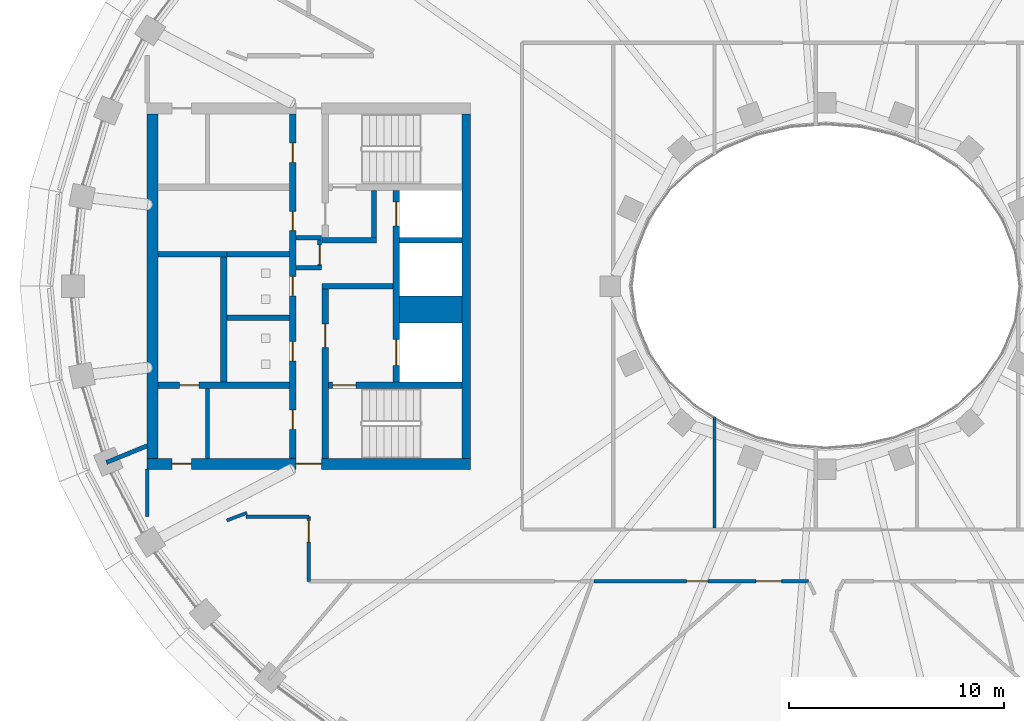
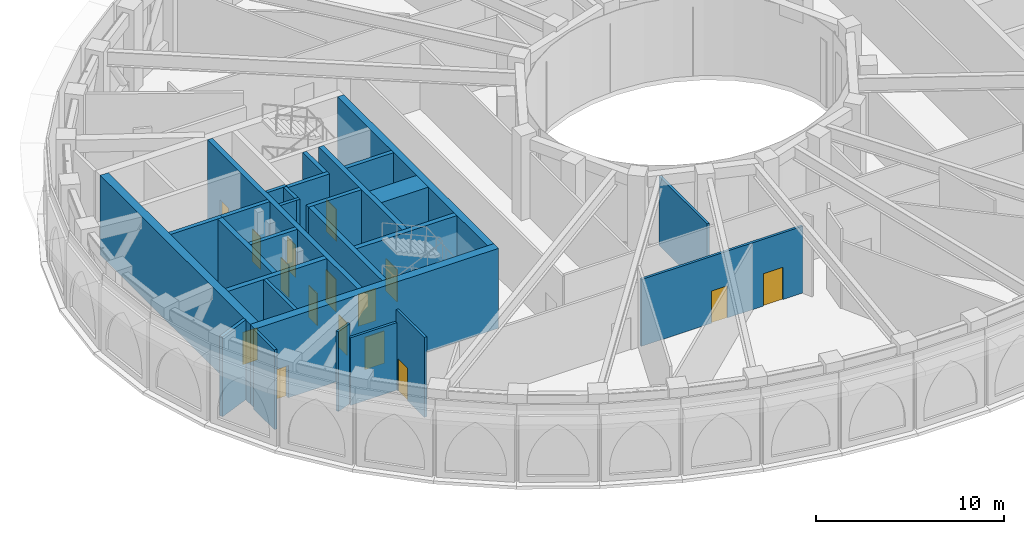
# One storey, part 5 of 23: 28 walls, 16 doors, 16 openings.
"""IFC4 building model written with IfcOpenShell, lengths in metres."""

from ifc_helpers import new_model, si_unit, direction, frame, frame_2d, origin, place, context, subcontext, project, spatial, rectangle, extrude, material, layer, layer_set, type_object, element, fill, save


model = new_model("IFC4")

# Units and contexts
model_context = context("Model", 3, precision=1e-05, world=origin(), true_north=direction((0.0, 1.0)))
body_context = subcontext(model_context, "Body", "Model", "MODEL_VIEW")
ifc_project = project(units=[si_unit("LENGTHUNIT", "METRE"), si_unit("AREAUNIT", "SQUARE_METRE"), si_unit("VOLUMEUNIT", "CUBIC_METRE"), si_unit("PLANEANGLEUNIT", "RADIAN"), si_unit("MASSUNIT", "GRAM", prefix="KILO")], contexts=[model_context])

# Site, building, storey
site_placement = place(None, origin())
site = spatial("IfcSite", under=ifc_project, at=site_placement, CompositionType="ELEMENT")
building_placement = place(site_placement, origin())
building = spatial("IfcBuilding", under=site, at=building_placement, Name="Noorbagh Ring Tower", CompositionType="ELEMENT")
storey_placement = place(building_placement, frame((0.0, 0.0, 285.5)))
storey = spatial("IfcBuildingStorey", under=building, at=storey_placement, Name="L61", CompositionType="ELEMENT", Elevation=285.5)

# Walls
ifc_material_1 = material(Name="Gypsum board on steel studs", Category="steel")
ifc_layer_1 = layer(ifc_material_1, 0.14990234375)
ifc_layer_set_1 = layer_set([ifc_layer_1], Name="Gypsum board on steel studs")
wall_type_1 = type_object("IfcWallType", Name="COMPARTMENT PARTITION 150 EI 60", PredefinedType="PARTITIONING", material=ifc_layer_set_1)
wall_1_placement = place(storey_placement, frame((-31.5, -10.699951171875, 0.0), z_axis=(0.0, 0.0, 1.0), x_axis=(0.0, 1.0, 0.0)))
element("IfcWall", 1, at=wall_1_placement, inside=storey, type_object=wall_type_1, Name="L61/wall/P02", PredefinedType="PARTITIONING", context=body_context, shape_type="SweptSolid", body=[
    extrude(rectangle(XDim=2.199951171875, YDim=0.14990234375, at=frame_2d((1.10009765625, 0.0))), origin(), (0.0, 0.0, 1.0), 5.199951171875),
])
wall_2_placement = place(storey_placement, frame((-26.92041015625, -10.699951171875, 0.0), z_axis=(0.0, 0.0, 1.0), x_axis=(1.0, 0.0, 0.0)))
element("IfcWall", 2, at=wall_2_placement, inside=storey, type_object=wall_type_1, Name="L61/wall/P03", PredefinedType="PARTITIONING", context=body_context, shape_type="SweptSolid", body=[
    extrude(rectangle(XDim=2.92041015625, YDim=0.14990234375, at=frame_2d((1.460205078125, 0.0))), origin(), (0.0, 0.0, 1.0), 4.39990234375),
])

# Wall, opening, door
wall_3_placement = place(storey_placement, frame((-24.0, -13.699951171875, 0.0), z_axis=(0.0, 0.0, 1.0), x_axis=(0.0, 1.0, 0.0)))
wall_3 = element("IfcWall", 3, at=wall_3_placement, inside=storey, type_object=wall_type_1, Name="L61/wall/P08", PredefinedType="PARTITIONING", context=body_context, shape_type="SweptSolid", body=[
    extrude(rectangle(XDim=3.0, YDim=0.14990234375, at=frame_2d((1.5, 0.0))), origin(), (0.0, 0.0, 1.0), 5.199951171875),
])
opening_1_placement = place(wall_3_placement, frame((1.820068359375, 0.0, 0.0)))
opening_1 = element("IfcOpeningElement", 4, at=opening_1_placement, cuts=wall_3, Name="Opening D6", PredefinedType="OPENING", context=body_context, shape_type="SweptSolid", body=[
    extrude(rectangle(XDim=1.0, YDim=2.10009765625, at=frame_2d((0.5, 1.050048828125))), frame((0.0, 0.0849609375, 0.0), z_axis=(0.0, -1.0, 0.0), x_axis=(1.0, 0.0, 0.0)), (0.0, 0.0, 1.0), 0.169921875),
])
ifc_material_2 = material(Name="Timber, painted", Category="wood")
door_type_1 = type_object("IfcDoorType", Name="DOOR 1000 X 2100 FD60", OperationType="SINGLE_SWING_LEFT", PredefinedType="DOOR", material=ifc_material_2)
door_1_placement = place(opening_1_placement, origin())
door_1 = element("IfcDoor", 5, at=door_1_placement, inside=storey, type_object=door_type_1, Name="L61-D02", OperationType="SINGLE_SWING_LEFT", OverallHeight=2.10009765625, OverallWidth=1.0, PredefinedType="DOOR", context=body_context, shape_type="SweptSolid", body=[
    extrude(rectangle(XDim=1.0, YDim=2.10009765625, at=frame_2d((0.5, 1.050048828125))), frame((0.0, 0.02490234375, 0.0), z_axis=(0.0, -1.0, 0.0), x_axis=(1.0, 0.0, 0.0)), (0.0, 0.0, 1.0), 0.050048828125),
])
fill(opening_1, door_1)

# Wall, openings, doors
wall_4_placement = place(storey_placement, frame((-10.76708984375, -13.699951171875, 0.0), z_axis=(0.0, 0.0, 1.0), x_axis=(1.0, 0.0, 0.0)))
wall_4 = element("IfcWall", 6, at=wall_4_placement, inside=storey, type_object=wall_type_1, Name="L61/wall/P19", PredefinedType="PARTITIONING", context=body_context, shape_type="SweptSolid", body=[
    extrude(rectangle(XDim=9.958984375, YDim=0.14990234375, at=frame_2d((4.9794921875, 0.0))), origin(), (0.0, 0.0, 1.0), 4.35009765625),
])
opening_2_placement = place(wall_4_placement, frame((7.52099609375, 0.0, 0.0)))
opening_2 = element("IfcOpeningElement", 7, at=opening_2_placement, cuts=wall_4, Name="Opening D7", PredefinedType="OPENING", context=body_context, shape_type="SweptSolid", body=[
    extrude(rectangle(XDim=1.199951171875, YDim=2.10009765625, at=frame_2d((0.60009765625, 1.050048828125))), frame((0.0, 0.0849609375, 0.0), z_axis=(0.0, -1.0, 0.0), x_axis=(1.0, 0.0, 0.0)), (0.0, 0.0, 1.0), 0.169921875),
])
opening_3_placement = place(wall_4_placement, frame((4.30810546875, 0.0, 0.0)))
opening_3 = element("IfcOpeningElement", 8, at=opening_3_placement, cuts=wall_4, Name="Opening D6", PredefinedType="OPENING", context=body_context, shape_type="SweptSolid", body=[
    extrude(rectangle(XDim=1.0, YDim=2.10009765625, at=frame_2d((0.5, 1.050048828125))), frame((0.0, 0.0849609375, 0.0), z_axis=(0.0, -1.0, 0.0), x_axis=(1.0, 0.0, 0.0)), (0.0, 0.0, 1.0), 0.169921875),
])
door_2_placement = place(opening_3_placement, origin())
door_2 = element("IfcDoor", 9, at=door_2_placement, inside=storey, type_object=door_type_1, Name="L61-D08", OperationType="SINGLE_SWING_RIGHT", OverallHeight=2.10009765625, OverallWidth=1.0, PredefinedType="DOOR", context=body_context, shape_type="SweptSolid", body=[
    extrude(rectangle(XDim=1.0, YDim=2.10009765625, at=frame_2d((0.5, 1.050048828125))), frame((0.0, 0.02490234375, 0.0), z_axis=(0.0, -1.0, 0.0), x_axis=(1.0, 0.0, 0.0)), (0.0, 0.0, 1.0), 0.050048828125),
])
fill(opening_3, door_2)
ifc_material_3 = material(Name="Timber, painted", Category="wood")
door_type_2 = type_object("IfcDoorType", Name="DOOR 1200 X 2100 FD60", OperationType="SINGLE_SWING_LEFT", PredefinedType="DOOR", material=ifc_material_3)
door_3_placement = place(opening_2_placement, origin())
door_3 = element("IfcDoor", 10, at=door_3_placement, inside=storey, type_object=door_type_2, Name="L61-D07", OperationType="SINGLE_SWING_LEFT", OverallHeight=2.10009765625, OverallWidth=1.199951171875, PredefinedType="DOOR", context=body_context, shape_type="SweptSolid", body=[
    extrude(rectangle(XDim=1.199951171875, YDim=2.10009765625, at=frame_2d((0.60009765625, 1.050048828125))), frame((0.0, 0.02490234375, 0.0), z_axis=(0.0, -1.0, 0.0), x_axis=(1.0, 0.0, 0.0)), (0.0, 0.0, 1.0), 0.050048828125),
])
fill(opening_2, door_3)

# Walls
wall_5_placement = place(storey_placement, frame((-5.169921875, -11.22509765625, 0.0), z_axis=(0.0, 0.0, 1.0), x_axis=(0.0, 1.0, 0.0)))
element("IfcWall", 11, at=wall_5_placement, inside=storey, type_object=wall_type_1, Name="L61/wall/P23", PredefinedType="PARTITIONING", context=body_context, shape_type="SweptSolid", body=[
    extrude(rectangle(XDim=5.1201171875, YDim=0.14990234375, at=frame_2d((2.56005859375, 0.0))), origin(), (0.0, 0.0, 1.0), 4.5),
])
wall_6_placement = place(storey_placement, frame((-27.806396484375, -10.876953125, 0.0), z_axis=(0.0, 0.0, 1.0), x_axis=(0.935251310729, 0.35398444285, 0.0)))
element("IfcWall", 12, at=wall_6_placement, inside=storey, type_object=wall_type_1, Name="L61/wall/P62", PredefinedType="PARTITIONING", context=body_context, shape_type="SweptSolid", body=[
    extrude(rectangle(XDim=1.0, YDim=0.14990234375, at=frame_2d((0.5, 0.0))), origin(), (0.0, 0.0, 1.0), 5.199951171875),
])
ifc_material_4 = material(Name="Gypsum board on steel studs", Category="steel")
ifc_layer_2 = layer(ifc_material_4, 0.199951171875)
ifc_layer_set_2 = layer_set([ifc_layer_2], Name="Gypsum board on steel studs")
wall_type_2 = type_object("IfcWallType", Name="CORE-PARTITION-200", PredefinedType="PARTITIONING", material=ifc_layer_set_2)
for number, where, z_axis, x_axis, name in (
    (13, (-23.39990234375, 0.85009765625, 0.0), (0.0, 0.0, 1.0), (-1.0, 0.0, 0.0), "Core partition W"),
    (14, (-23.39990234375, 2.25, 0.0), (0.0, 0.0, 1.0), (-1.0, 0.0, 0.0), "Core partition W"),
):
    element("IfcWall", number, at=place(storey_placement, frame(where, z_axis=z_axis, x_axis=x_axis)), inside=storey, type_object=wall_type_2, Name=name, PredefinedType="PARTITIONING", context=body_context, shape_type="SweptSolid", body=[
        extrude(rectangle(XDim=1.2001953125, YDim=0.199951171875, at=frame_2d((0.60009765625, 0.0))), origin(), (0.0, 0.0, 1.0), 5.199951171875),
    ])

# Wall, opening, door
wall_7_placement = place(storey_placement, frame((-23.5, 0.75, 0.0), z_axis=(0.0, 0.0, 1.0), x_axis=(0.0, 1.0, 0.0)))
wall_7 = element("IfcWall", 15, at=wall_7_placement, inside=storey, type_object=wall_type_2, Name="Core partition W", PredefinedType="PARTITIONING", context=body_context, shape_type="SweptSolid", body=[
    extrude(rectangle(XDim=1.60009765625, YDim=0.199951171875, at=frame_2d((0.800048828125, 0.0))), origin(), (0.0, 0.0, 1.0), 5.199951171875),
])
opening_4_placement = place(wall_7_placement, frame((0.25, 0.0, 0.0)))
opening_4 = element("IfcOpeningElement", 16, at=opening_4_placement, cuts=wall_7, Name="Opening L61-CW16", PredefinedType="OPENING", context=body_context, shape_type="SweptSolid", body=[
    extrude(rectangle(XDim=0.89990234375, YDim=2.10009765625, at=frame_2d((0.449951171875, 1.050048828125))), frame((0.0, 0.10986328125, 0.0), z_axis=(0.0, -1.0, 0.0), x_axis=(1.0, 0.0, 0.0)), (0.0, 0.0, 1.0), 0.219970703125),
])
ifc_material_5 = material(Name="Steel door leaf", Category="steel")
door_type_3 = type_object("IfcDoorType", Name="CORE-DOOR-DROOM", OperationType="SINGLE_SWING_LEFT", PredefinedType="DOOR", material=ifc_material_5)
door_4_placement = place(opening_4_placement, origin())
door_4 = element("IfcDoor", 17, at=door_4_placement, inside=storey, type_object=door_type_3, Name="Core room door L61-CW16", OperationType="SINGLE_SWING_RIGHT", OverallHeight=2.10009765625, OverallWidth=0.89990234375, PredefinedType="DOOR", context=body_context, shape_type="SweptSolid", body=[
    extrude(rectangle(XDim=0.89990234375, YDim=2.10009765625, at=frame_2d((0.449951171875, 1.050048828125))), frame((0.0, 0.02490234375, 0.0), z_axis=(0.0, -1.0, 0.0), x_axis=(1.0, 0.0, 0.0)), (0.0, 0.0, 1.0), 0.050048828125),
])
fill(opening_4, door_4)

# Walls
wall_8_placement = place(storey_placement, frame((-28.699951171875, -8.0, 0.0), z_axis=(0.0, 0.0, 1.0), x_axis=(0.0, 1.0, 0.0)))
element("IfcWall", 18, at=wall_8_placement, inside=storey, type_object=wall_type_2, Name="Core partition W", PredefinedType="PARTITIONING", context=body_context, shape_type="SweptSolid", body=[
    extrude(rectangle(XDim=3.25, YDim=0.199951171875, at=frame_2d((1.625, 0.0))), origin(), (0.0, 0.0, 1.0), 5.199951171875),
])
ifc_material_6 = material(Name="Concrete C50/60", Category="concrete")
ifc_layer_3 = layer(ifc_material_6, 1.25)
ifc_layer_set_3 = layer_set([ifc_layer_3], Name="Concrete C50/60")
wall_type_3 = type_object("IfcWallType", Name="CORE-WALL-1250-C50-60-EI120", PredefinedType="SHEAR", material=ifc_layer_set_3)
wall_9_placement = place(storey_placement, frame((-16.89990234375, -1.074951171875, 0.0), z_axis=(0.0, 0.0, 1.0), x_axis=(-1.0, 0.0, 0.0)))
element("IfcWall", 19, at=wall_9_placement, inside=storey, type_object=wall_type_3, Name="Core wall W", PredefinedType="SHEAR", context=body_context, shape_type="SweptSolid", body=[
    extrude(rectangle(XDim=2.900146484375, YDim=1.25, at=frame_2d((1.4501953125, 0.0))), origin(), (0.0, 0.0, 1.0), 5.199951171875),
])
ifc_material_7 = material(Name="Concrete C50/60", Category="concrete")
ifc_layer_4 = layer(ifc_material_7, 0.25)
ifc_layer_set_4 = layer_set([ifc_layer_4], Name="Concrete C50/60")
wall_type_4 = type_object("IfcWallType", Name="CORE-WALL-250-C50-60-EI120", PredefinedType="SHEAR", material=ifc_layer_set_4)
wall_10_placement = place(storey_placement, frame((-27.800048828125, 1.47509765625, 0.0), z_axis=(0.0, 0.0, 1.0), x_axis=(-1.0, 0.0, 0.0)))
element("IfcWall", 20, at=wall_10_placement, inside=storey, type_object=wall_type_4, Name="Core wall W", PredefinedType="SHEAR", context=body_context, shape_type="SweptSolid", body=[
    extrude(rectangle(XDim=3.199951171875, YDim=0.25, at=frame_2d((1.60009765625, 0.0))), origin(), (0.0, 0.0, 1.0), 5.199951171875),
])
for number, where, z_axis, x_axis, name in (
    (21, (-16.89990234375, 2.125, 0.0), (0.0, 0.0, 1.0), (-1.0, 0.0, 0.0), "Core wall W"),
    (22, (-24.89990234375, -1.47509765625, 0.0), (0.0, 0.0, 1.0), (-1.0, 0.0, 0.0), "Core wall W"),
    (23, (-24.89990234375, 1.47509765625, 0.0), (0.0, 0.0, 1.0), (-1.0, 0.0, 0.0), "Core wall W"),
):
    element("IfcWall", number, at=place(storey_placement, frame(where, z_axis=z_axis, x_axis=x_axis)), inside=storey, type_object=wall_type_4, Name=name, PredefinedType="SHEAR", context=body_context, shape_type="SweptSolid", body=[
        extrude(rectangle(XDim=2.900146484375, YDim=0.25, at=frame_2d((1.4501953125, 0.0))), origin(), (0.0, 0.0, 1.0), 5.199951171875),
    ])
ifc_material_8 = material(Name="Concrete C50/60", Category="concrete")
ifc_layer_5 = layer(ifc_material_8, 0.25)
ifc_layer_set_5 = layer_set([ifc_layer_5], Name="Concrete C50/60")
wall_type_5 = type_object("IfcWallType", Name="CORE-WALL-250-C50-60-EI240", PredefinedType="SHEAR", material=ifc_layer_set_5)
wall_11_placement = place(storey_placement, frame((-20.10009765625, 0.0, 0.0), z_axis=(0.0, 0.0, 1.0), x_axis=(-1.0, 0.0, 0.0)))
element("IfcWall", 24, at=wall_11_placement, inside=storey, type_object=wall_type_5, Name="Core wall W", PredefinedType="SHEAR", context=body_context, shape_type="SweptSolid", body=[
    extrude(rectangle(XDim=3.27978515625, YDim=0.25, at=frame_2d((1.639892578125, 0.0))), origin(), (0.0, 0.0, 1.0), 5.199951171875),
])
wall_12_placement = place(storey_placement, frame((-20.85009765625, 2.125, 0.0), z_axis=(0.0, 0.0, 1.0), x_axis=(-1.0, 0.0, 0.0)))
element("IfcWall", 25, at=wall_12_placement, inside=storey, type_object=wall_type_5, Name="Core wall W", PredefinedType="SHEAR", context=body_context, shape_type="SweptSolid", body=[
    extrude(rectangle(XDim=2.52978515625, YDim=0.25, at=frame_2d((1.264892578125, 0.0))), origin(), (0.0, 0.0, 1.0), 5.199951171875),
])
wall_13_placement = place(storey_placement, frame((-20.97509765625, 2.25, 0.0), z_axis=(0.0, 0.0, 1.0), x_axis=(0.0, 1.0, 0.0)))
element("IfcWall", 26, at=wall_13_placement, inside=storey, type_object=wall_type_5, Name="Core wall W", PredefinedType="SHEAR", context=body_context, shape_type="SweptSolid", body=[
    extrude(rectangle(XDim=2.199951171875, YDim=0.25, at=frame_2d((1.10009765625, 0.0))), origin(), (0.0, 0.0, 1.0), 5.199951171875),
])
ifc_material_9 = material(Name="Concrete C50/60", Category="concrete")
ifc_layer_6 = layer(ifc_material_9, 0.300048828125)
ifc_layer_set_6 = layer_set([ifc_layer_6], Name="Concrete C50/60")
wall_type_6 = type_object("IfcWallType", Name="CORE-WALL-300-C50-60-EI120", PredefinedType="SHEAR", material=ifc_layer_set_6)
wall_14_placement = place(storey_placement, frame((-27.949951171875, -4.449951171875, 0.0), z_axis=(0.0, 0.0, 1.0), x_axis=(0.0, 1.0, 0.0)))
element("IfcWall", 27, at=wall_14_placement, inside=storey, type_object=wall_type_6, Name="Core wall W", PredefinedType="SHEAR", context=body_context, shape_type="SweptSolid", body=[
    extrude(rectangle(XDim=5.800048828125, YDim=0.300048828125, at=frame_2d((2.89990234375, 0.0))), origin(), (0.0, 0.0, 1.0), 5.199951171875),
])

# Wall, openings, doors
wall_15_placement = place(storey_placement, frame((-19.949951171875, -4.449951171875, 0.0), z_axis=(0.0, 0.0, 1.0), x_axis=(0.0, 1.0, 0.0)))
wall_15 = element("IfcWall", 28, at=wall_15_placement, inside=storey, type_object=wall_type_6, Name="Core wall W", PredefinedType="SHEAR", context=body_context, shape_type="SweptSolid", body=[
    extrude(rectangle(XDim=8.89990234375, YDim=0.300048828125, at=frame_2d((4.449951171875, 0.0))), origin(), (0.0, 0.0, 1.0), 5.199951171875),
])
opening_5_placement = place(wall_15_placement, frame((0.77490234375, 0.0, 0.0)))
opening_5 = element("IfcOpeningElement", 29, at=opening_5_placement, cuts=wall_15, Name="Opening L61-CW01", PredefinedType="OPENING", context=body_context, shape_type="SweptSolid", body=[
    extrude(rectangle(XDim=1.199951171875, YDim=2.10009765625, at=frame_2d((0.60009765625, 1.050048828125))), frame((0.0, 0.16015625, 0.0), z_axis=(0.0, -1.0, 0.0), x_axis=(1.0, 0.0, 0.0)), (0.0, 0.0, 1.0), 0.320068359375),
])
opening_6_placement = place(wall_15_placement, frame((7.25, 0.0, 0.0)))
opening_6 = element("IfcOpeningElement", 30, at=opening_6_placement, cuts=wall_15, Name="Opening L61-CW02", PredefinedType="OPENING", context=body_context, shape_type="SweptSolid", body=[
    extrude(rectangle(XDim=1.10009765625, YDim=2.10009765625, at=frame_2d((0.550048828125, 1.050048828125))), frame((0.0, 0.16015625, 0.0), z_axis=(0.0, -1.0, 0.0), x_axis=(1.0, 0.0, 0.0)), (0.0, 0.0, 1.0), 0.320068359375),
])
ifc_material_10 = material(Name="Steel door leaf", Category="steel")
door_type_4 = type_object("IfcDoorType", Name="CORE-DOOR-LD", OperationType="DOUBLE_DOOR_SLIDING", PredefinedType="DOOR", material=ifc_material_10)
door_5_placement = place(opening_6_placement, origin())
door_5 = element("IfcDoor", 31, at=door_5_placement, inside=storey, type_object=door_type_4, Name="Landing door HR1 L61-CW02", OperationType="DOUBLE_DOOR_SLIDING", OverallHeight=2.10009765625, OverallWidth=1.10009765625, PredefinedType="DOOR", context=body_context, shape_type="SweptSolid", body=[
    extrude(rectangle(XDim=1.10009765625, YDim=2.10009765625, at=frame_2d((0.550048828125, 1.050048828125))), frame((0.0, 0.02490234375, 0.0), z_axis=(0.0, -1.0, 0.0), x_axis=(1.0, 0.0, 0.0)), (0.0, 0.0, 1.0), 0.050048828125),
])
fill(opening_6, door_5)
ifc_material_11 = material(Name="Steel door leaf", Category="steel")
door_type_5 = type_object("IfcDoorType", Name="CORE-DOOR-LDW", OperationType="DOUBLE_DOOR_SLIDING", PredefinedType="DOOR", material=ifc_material_11)
door_6_placement = place(opening_5_placement, origin())
door_6 = element("IfcDoor", 32, at=door_6_placement, inside=storey, type_object=door_type_5, Name="Landing door FF1 L61-CW01", OperationType="DOUBLE_DOOR_SLIDING", OverallHeight=2.10009765625, OverallWidth=1.199951171875, PredefinedType="DOOR", context=body_context, shape_type="SweptSolid", body=[
    extrude(rectangle(XDim=1.199951171875, YDim=2.10009765625, at=frame_2d((0.60009765625, 1.050048828125))), frame((0.0, 0.02490234375, 0.0), z_axis=(0.0, -1.0, 0.0), x_axis=(1.0, 0.0, 0.0)), (0.0, 0.0, 1.0), 0.050048828125),
])
fill(opening_5, door_6)

wall_16_placement = place(storey_placement, frame((-24.75, -8.0, 0.0), z_axis=(0.0, 0.0, 1.0), x_axis=(0.0, 1.0, 0.0)))
wall_16 = element("IfcWall", 33, at=wall_16_placement, inside=storey, type_object=wall_type_6, Name="Core wall W", PredefinedType="SHEAR", context=body_context, shape_type="SweptSolid", body=[
    extrude(rectangle(XDim=16.0, YDim=0.300048828125, at=frame_2d((8.0, 0.0))), origin(), (0.0, 0.0, 1.0), 5.199951171875),
])
opening_7_placement = place(wall_16_placement, frame((4.52490234375, 0.0, 0.0)))
opening_7 = element("IfcOpeningElement", 34, at=opening_7_placement, cuts=wall_16, Name="Opening L61-CW09", PredefinedType="OPENING", context=body_context, shape_type="SweptSolid", body=[
    extrude(rectangle(XDim=0.89990234375, YDim=2.10009765625, at=frame_2d((0.449951171875, 1.050048828125))), frame((0.0, 0.16015625, 0.0), z_axis=(0.0, -1.0, 0.0), x_axis=(1.0, 0.0, 0.0)), (0.0, 0.0, 1.0), 0.320068359375),
])
opening_8_placement = place(wall_16_placement, frame((7.550048828125, 0.0, 0.0)))
opening_8 = element("IfcOpeningElement", 35, at=opening_8_placement, cuts=wall_16, Name="Opening L61-CW10", PredefinedType="OPENING", context=body_context, shape_type="SweptSolid", body=[
    extrude(rectangle(XDim=0.89990234375, YDim=2.10009765625, at=frame_2d((0.449951171875, 1.050048828125))), frame((0.0, 0.16015625, 0.0), z_axis=(0.0, -1.0, 0.0), x_axis=(1.0, 0.0, 0.0)), (0.0, 0.0, 1.0), 0.320068359375),
])
opening_9_placement = place(wall_16_placement, frame((10.574951171875, 0.0, 0.0)))
opening_9 = element("IfcOpeningElement", 36, at=opening_9_placement, cuts=wall_16, Name="Opening L61-CW11", PredefinedType="OPENING", context=body_context, shape_type="SweptSolid", body=[
    extrude(rectangle(XDim=0.89990234375, YDim=2.10009765625, at=frame_2d((0.449951171875, 1.050048828125))), frame((0.0, 0.16015625, 0.0), z_axis=(0.0, -1.0, 0.0), x_axis=(1.0, 0.0, 0.0)), (0.0, 0.0, 1.0), 0.320068359375),
])
opening_10_placement = place(wall_16_placement, frame((13.75, 0.0, 0.0)))
opening_10 = element("IfcOpeningElement", 37, at=opening_10_placement, cuts=wall_16, Name="Opening L61-CW12", PredefinedType="OPENING", context=body_context, shape_type="SweptSolid", body=[
    extrude(rectangle(XDim=0.89990234375, YDim=2.10009765625, at=frame_2d((0.449951171875, 1.050048828125))), frame((0.0, 0.16015625, 0.0), z_axis=(0.0, -1.0, 0.0), x_axis=(1.0, 0.0, 0.0)), (0.0, 0.0, 1.0), 0.320068359375),
])
opening_11_placement = place(wall_16_placement, frame((1.35009765625, 0.0, 0.0)))
opening_11 = element("IfcOpeningElement", 38, at=opening_11_placement, cuts=wall_16, Name="Opening L61-CW14", PredefinedType="OPENING", context=body_context, shape_type="SweptSolid", body=[
    extrude(rectangle(XDim=0.89990234375, YDim=2.10009765625, at=frame_2d((0.449951171875, 1.050048828125))), frame((0.0, 0.16015625, 0.0), z_axis=(0.0, -1.0, 0.0), x_axis=(1.0, 0.0, 0.0)), (0.0, 0.0, 1.0), 0.320068359375),
])
door_7_placement = place(opening_7_placement, origin())
door_7 = element("IfcDoor", 39, at=door_7_placement, inside=storey, type_object=door_type_3, Name="Core room door L61-CW09", OperationType="SINGLE_SWING_RIGHT", OverallHeight=2.10009765625, OverallWidth=0.89990234375, PredefinedType="DOOR", context=body_context, shape_type="SweptSolid", body=[
    extrude(rectangle(XDim=0.89990234375, YDim=2.10009765625, at=frame_2d((0.449951171875, 1.050048828125))), frame((0.0, 0.02490234375, 0.0), z_axis=(0.0, -1.0, 0.0), x_axis=(1.0, 0.0, 0.0)), (0.0, 0.0, 1.0), 0.050048828125),
])
fill(opening_7, door_7)
door_8_placement = place(opening_8_placement, origin())
door_8 = element("IfcDoor", 40, at=door_8_placement, inside=storey, type_object=door_type_3, Name="Core room door L61-CW10", OperationType="SINGLE_SWING_RIGHT", OverallHeight=2.10009765625, OverallWidth=0.89990234375, PredefinedType="DOOR", context=body_context, shape_type="SweptSolid", body=[
    extrude(rectangle(XDim=0.89990234375, YDim=2.10009765625, at=frame_2d((0.449951171875, 1.050048828125))), frame((0.0, 0.02490234375, 0.0), z_axis=(0.0, -1.0, 0.0), x_axis=(1.0, 0.0, 0.0)), (0.0, 0.0, 1.0), 0.050048828125),
])
fill(opening_8, door_8)
door_9_placement = place(opening_9_placement, origin())
door_9 = element("IfcDoor", 41, at=door_9_placement, inside=storey, type_object=door_type_3, Name="Core room door L61-CW11", OperationType="SINGLE_SWING_RIGHT", OverallHeight=2.10009765625, OverallWidth=0.89990234375, PredefinedType="DOOR", context=body_context, shape_type="SweptSolid", body=[
    extrude(rectangle(XDim=0.89990234375, YDim=2.10009765625, at=frame_2d((0.449951171875, 1.050048828125))), frame((0.0, 0.02490234375, 0.0), z_axis=(0.0, -1.0, 0.0), x_axis=(1.0, 0.0, 0.0)), (0.0, 0.0, 1.0), 0.050048828125),
])
fill(opening_9, door_9)
door_10_placement = place(opening_10_placement, origin())
door_10 = element("IfcDoor", 42, at=door_10_placement, inside=storey, type_object=door_type_3, Name="Core room door L61-CW12", OperationType="SINGLE_SWING_RIGHT", OverallHeight=2.10009765625, OverallWidth=0.89990234375, PredefinedType="DOOR", context=body_context, shape_type="SweptSolid", body=[
    extrude(rectangle(XDim=0.89990234375, YDim=2.10009765625, at=frame_2d((0.449951171875, 1.050048828125))), frame((0.0, 0.02490234375, 0.0), z_axis=(0.0, -1.0, 0.0), x_axis=(1.0, 0.0, 0.0)), (0.0, 0.0, 1.0), 0.050048828125),
])
fill(opening_10, door_10)
door_11_placement = place(opening_11_placement, origin())
door_11 = element("IfcDoor", 43, at=door_11_placement, inside=storey, type_object=door_type_3, Name="Core room door L61-CW14", OperationType="SINGLE_SWING_LEFT", OverallHeight=2.10009765625, OverallWidth=0.89990234375, PredefinedType="DOOR", context=body_context, shape_type="SweptSolid", body=[
    extrude(rectangle(XDim=0.89990234375, YDim=2.10009765625, at=frame_2d((0.449951171875, 1.050048828125))), frame((0.0, 0.02490234375, 0.0), z_axis=(0.0, -1.0, 0.0), x_axis=(1.0, 0.0, 0.0)), (0.0, 0.0, 1.0), 0.050048828125),
])
fill(opening_11, door_11)

# Wall, opening, door
ifc_material_12 = material(Name="Concrete C50/60", Category="concrete")
ifc_layer_7 = layer(ifc_material_12, 0.300048828125)
ifc_layer_set_7 = layer_set([ifc_layer_7], Name="Concrete C50/60")
wall_type_7 = type_object("IfcWallType", Name="CORE-WALL-300-C50-60-EI240", PredefinedType="SHEAR", material=ifc_layer_set_7)
wall_17_placement = place(storey_placement, frame((-24.89990234375, -4.60009765625, 0.0), z_axis=(0.0, 0.0, 1.0), x_axis=(-1.0, 0.0, 0.0)))
wall_17 = element("IfcWall", 44, at=wall_17_placement, inside=storey, type_object=wall_type_7, Name="Core wall W", PredefinedType="SHEAR", context=body_context, shape_type="SweptSolid", body=[
    extrude(rectangle(XDim=6.10009765625, YDim=0.300048828125, at=frame_2d((3.050048828125, 0.0))), origin(), (0.0, 0.0, 1.0), 5.199951171875),
])
opening_12_placement = place(wall_17_placement, frame((4.199951171875, 0.0, 0.0)))
opening_12 = element("IfcOpeningElement", 45, at=opening_12_placement, cuts=wall_17, Name="Opening L61-CW17", PredefinedType="OPENING", context=body_context, shape_type="SweptSolid", body=[
    extrude(rectangle(XDim=0.89990234375, YDim=2.10009765625, at=frame_2d((0.449951171875, 1.050048828125))), frame((0.0, 0.16015625, 0.0), z_axis=(0.0, -1.0, 0.0), x_axis=(1.0, 0.0, 0.0)), (0.0, 0.0, 1.0), 0.320068359375),
])
door_12_placement = place(opening_12_placement, origin())
door_12 = element("IfcDoor", 46, at=door_12_placement, inside=storey, type_object=door_type_3, Name="Core room door L61-CW17", OperationType="SINGLE_SWING_RIGHT", OverallHeight=2.10009765625, OverallWidth=0.89990234375, PredefinedType="DOOR", context=body_context, shape_type="SweptSolid", body=[
    extrude(rectangle(XDim=0.89990234375, YDim=2.10009765625, at=frame_2d((0.449951171875, 1.050048828125))), frame((0.0, 0.02490234375, 0.0), z_axis=(0.0, -1.0, 0.0), x_axis=(1.0, 0.0, 0.0)), (0.0, 0.0, 1.0), 0.050048828125),
])
fill(opening_12, door_12)

wall_18_placement = place(storey_placement, frame((-23.22998046875, -8.0, 0.0), z_axis=(0.0, 0.0, 1.0), x_axis=(0.0, 1.0, 0.0)))
wall_18 = element("IfcWall", 47, at=wall_18_placement, inside=storey, type_object=wall_type_7, Name="Core wall W", PredefinedType="SHEAR", context=body_context, shape_type="SweptSolid", body=[
    extrude(rectangle(XDim=7.875, YDim=0.300048828125, at=frame_2d((3.9375, 0.0))), origin(), (0.0, 0.0, 1.0), 5.199951171875),
])
opening_13_placement = place(wall_18_placement, frame((5.14990234375, 0.0, 0.0)))
opening_13 = element("IfcOpeningElement", 48, at=opening_13_placement, cuts=wall_18, Name="Opening L61-CW05", PredefinedType="OPENING", context=body_context, shape_type="SweptSolid", body=[
    extrude(rectangle(XDim=1.10009765625, YDim=2.10009765625, at=frame_2d((0.550048828125, 1.050048828125))), frame((0.0, 0.16015625, 0.0), z_axis=(0.0, -1.0, 0.0), x_axis=(1.0, 0.0, 0.0)), (0.0, 0.0, 1.0), 0.320068359375),
])
ifc_material_13 = material(Name="Steel door leaf", Category="steel")
door_type_6 = type_object("IfcDoorType", Name="CORE-DOOR-DFF", OperationType="SINGLE_SWING_LEFT", PredefinedType="DOOR", material=ifc_material_13)
door_13_placement = place(opening_13_placement, origin())
door_13 = element("IfcDoor", 49, at=door_13_placement, inside=storey, type_object=door_type_6, Name="Firefighting lobby door L61-CW05", OperationType="SINGLE_SWING_LEFT", OverallHeight=2.10009765625, OverallWidth=1.10009765625, PredefinedType="DOOR", context=body_context, shape_type="SweptSolid", body=[
    extrude(rectangle(XDim=1.10009765625, YDim=2.10009765625, at=frame_2d((0.550048828125, 1.050048828125))), frame((0.0, 0.02490234375, 0.0), z_axis=(0.0, -1.0, 0.0), x_axis=(1.0, 0.0, 0.0)), (0.0, 0.0, 1.0), 0.050048828125),
])
fill(opening_13, door_13)

wall_19_placement = place(storey_placement, frame((-16.89990234375, -4.60009765625, 0.0), z_axis=(0.0, 0.0, 1.0), x_axis=(-1.0, 0.0, 0.0)))
wall_19 = element("IfcWall", 50, at=wall_19_placement, inside=storey, type_object=wall_type_7, Name="Core wall W", PredefinedType="SHEAR", context=body_context, shape_type="SweptSolid", body=[
    extrude(rectangle(XDim=6.18017578125, YDim=0.300048828125, at=frame_2d((3.090087890625, 0.0))), origin(), (0.0, 0.0, 1.0), 5.199951171875),
])
opening_14_placement = place(wall_19_placement, frame((4.89990234375, 0.0, 0.0)))
opening_14 = element("IfcOpeningElement", 51, at=opening_14_placement, cuts=wall_19, Name="Opening L61-CW04", PredefinedType="OPENING", context=body_context, shape_type="SweptSolid", body=[
    extrude(rectangle(XDim=1.10009765625, YDim=2.10009765625, at=frame_2d((0.550048828125, 1.050048828125))), frame((0.0, 0.16015625, 0.0), z_axis=(0.0, -1.0, 0.0), x_axis=(1.0, 0.0, 0.0)), (0.0, 0.0, 1.0), 0.320068359375),
])
ifc_material_14 = material(Name="Steel door leaf", Category="steel")
door_type_7 = type_object("IfcDoorType", Name="CORE-DOOR-DSTAIR", OperationType="SINGLE_SWING_LEFT", PredefinedType="DOOR", material=ifc_material_14)
door_14_placement = place(opening_14_placement, origin())
door_14 = element("IfcDoor", 52, at=door_14_placement, inside=storey, type_object=door_type_7, Name="Stair door ST2 L61-CW04", OperationType="SINGLE_SWING_LEFT", OverallHeight=2.10009765625, OverallWidth=1.10009765625, PredefinedType="DOOR", context=body_context, shape_type="SweptSolid", body=[
    extrude(rectangle(XDim=1.10009765625, YDim=2.10009765625, at=frame_2d((0.550048828125, 1.050048828125))), frame((0.0, 0.02490234375, 0.0), z_axis=(0.0, -1.0, 0.0), x_axis=(1.0, 0.0, 0.0)), (0.0, 0.0, 1.0), 0.050048828125),
])
fill(opening_14, door_14)

# Wall
ifc_material_15 = material(Name="Concrete C50/60", Category="concrete")
ifc_layer_8 = layer(ifc_material_15, 0.39990234375)
ifc_layer_set_8 = layer_set([ifc_layer_8], Name="Concrete C50/60")
wall_type_8 = type_object("IfcWallType", Name="CORE-WALL-400-C50-60-EI240", PredefinedType="SHEAR", material=ifc_layer_set_8)
wall_20_placement = place(storey_placement, frame((-16.699951171875, -8.0, 0.0), z_axis=(0.0, 0.0, 1.0), x_axis=(0.0, 1.0, 0.0)))
element("IfcWall", 53, at=wall_20_placement, inside=storey, type_object=wall_type_8, Name="Core wall W", PredefinedType="SHEAR", context=body_context, shape_type="SweptSolid", body=[
    extrude(rectangle(XDim=16.0, YDim=0.39990234375, at=frame_2d((8.0, 0.0))), origin(), (0.0, 0.0, 1.0), 5.199951171875),
])

# Wall, openings, doors
ifc_material_16 = material(Name="Concrete C50/60", Category="concrete")
ifc_layer_9 = layer(ifc_material_16, 0.5)
ifc_layer_set_9 = layer_set([ifc_layer_9], Name="Concrete C50/60")
wall_type_9 = type_object("IfcWallType", Name="CORE-WALL-500-C50-60-EI240", PredefinedType="SHEAR", material=ifc_layer_set_9)
wall_21_placement = place(storey_placement, frame((-16.5, -8.25, 0.0), z_axis=(0.0, 0.0, 1.0), x_axis=(-1.0, 0.0, 0.0)))
wall_21 = element("IfcWall", 54, at=wall_21_placement, inside=storey, type_object=wall_type_9, Name="Core wall W", PredefinedType="SHEAR", context=body_context, shape_type="SweptSolid", body=[
    extrude(rectangle(XDim=15.0, YDim=0.5, at=frame_2d((7.5, 0.0))), origin(), (0.0, 0.0, 1.0), 5.199951171875),
])
opening_15_placement = place(wall_21_placement, frame((6.89990234375, 0.0, 0.0)))
opening_15 = element("IfcOpeningElement", 55, at=opening_15_placement, cuts=wall_21, Name="Opening L61-CW08", PredefinedType="OPENING", context=body_context, shape_type="SweptSolid", body=[
    extrude(rectangle(XDim=1.199951171875, YDim=2.10009765625, at=frame_2d((0.60009765625, 1.050048828125))), frame((0.0, 0.260009765625, 0.0), z_axis=(0.0, -1.0, 0.0), x_axis=(1.0, 0.0, 0.0)), (0.0, 0.0, 1.0), 0.52001953125),
])
opening_16_placement = place(wall_21_placement, frame((12.949951171875, 0.0, 0.0)))
opening_16 = element("IfcOpeningElement", 56, at=opening_16_placement, cuts=wall_21, Name="Opening L61-CW15", PredefinedType="OPENING", context=body_context, shape_type="SweptSolid", body=[
    extrude(rectangle(XDim=0.89990234375, YDim=2.10009765625, at=frame_2d((0.449951171875, 1.050048828125))), frame((0.0, 0.260009765625, 0.0), z_axis=(0.0, -1.0, 0.0), x_axis=(1.0, 0.0, 0.0)), (0.0, 0.0, 1.0), 0.52001953125),
])
door_15_placement = place(opening_16_placement, origin())
door_15 = element("IfcDoor", 57, at=door_15_placement, inside=storey, type_object=door_type_3, Name="Core room door L61-CW15", OperationType="SINGLE_SWING_LEFT", OverallHeight=2.10009765625, OverallWidth=0.89990234375, PredefinedType="DOOR", context=body_context, shape_type="SweptSolid", body=[
    extrude(rectangle(XDim=0.89990234375, YDim=2.10009765625, at=frame_2d((0.449951171875, 1.050048828125))), frame((0.0, 0.02490234375, 0.0), z_axis=(0.0, -1.0, 0.0), x_axis=(1.0, 0.0, 0.0)), (0.0, 0.0, 1.0), 0.050048828125),
])
fill(opening_16, door_15)
ifc_material_17 = material(Name="Steel door leaf", Category="steel")
door_type_8 = type_object("IfcDoorType", Name="CORE-DOOR-PORT", OperationType="DOUBLE_DOOR_DOUBLE_SWING", PredefinedType="DOOR", material=ifc_material_17)
door_16_placement = place(opening_15_placement, origin())
door_16 = element("IfcDoor", 58, at=door_16_placement, inside=storey, type_object=door_type_8, Name="Core entrance door L61-CW08", OperationType="DOUBLE_DOOR_DOUBLE_SWING", OverallHeight=2.10009765625, OverallWidth=1.199951171875, PredefinedType="DOOR", context=body_context, shape_type="SweptSolid", body=[
    extrude(rectangle(XDim=1.199951171875, YDim=2.10009765625, at=frame_2d((0.60009765625, 1.050048828125))), frame((0.0, 0.02490234375, 0.0), z_axis=(0.0, -1.0, 0.0), x_axis=(1.0, 0.0, 0.0)), (0.0, 0.0, 1.0), 0.050048828125),
])
fill(opening_15, door_16)

# Walls
wall_22_placement = place(storey_placement, frame((-31.25, -8.0, 0.0), z_axis=(0.0, 0.0, 1.0), x_axis=(0.0, 1.0, 0.0)))
element("IfcWall", 59, at=wall_22_placement, inside=storey, type_object=wall_type_9, Name="Core wall W", PredefinedType="SHEAR", context=body_context, shape_type="SweptSolid", body=[
    extrude(rectangle(XDim=16.0, YDim=0.5, at=frame_2d((8.0, 0.0))), origin(), (0.0, 0.0, 1.0), 5.199951171875),
])
ifc_material_18 = material(Name="Gypsum board on steel studs", Category="steel")
ifc_layer_10 = layer(ifc_material_18, 0.199951171875)
ifc_layer_set_10 = layer_set([ifc_layer_10], Name="Gypsum board on steel studs")
wall_type_10 = type_object("IfcWallType", Name="SHAFT PARTITION 200 EI 120", PredefinedType="PARTITIONING", material=ifc_layer_set_10)
wall_23_placement = place(storey_placement, frame((-33.39794921875, -8.18701171875, 0.0), z_axis=(0.0, 0.0, 1.0), x_axis=(0.925433139688, 0.378910944639, 0.0)))
element("IfcWall", 60, at=wall_23_placement, inside=storey, type_object=wall_type_10, Name="L61/wall/P01", PredefinedType="PARTITIONING", context=body_context, shape_type="SweptSolid", body=[
    extrude(rectangle(XDim=2.05078125, YDim=0.199951171875, at=frame_2d((1.025390625, 0.0))), origin(), (0.0, 0.0, 1.0), 5.199951171875),
])

save(model, "model.ifc")
